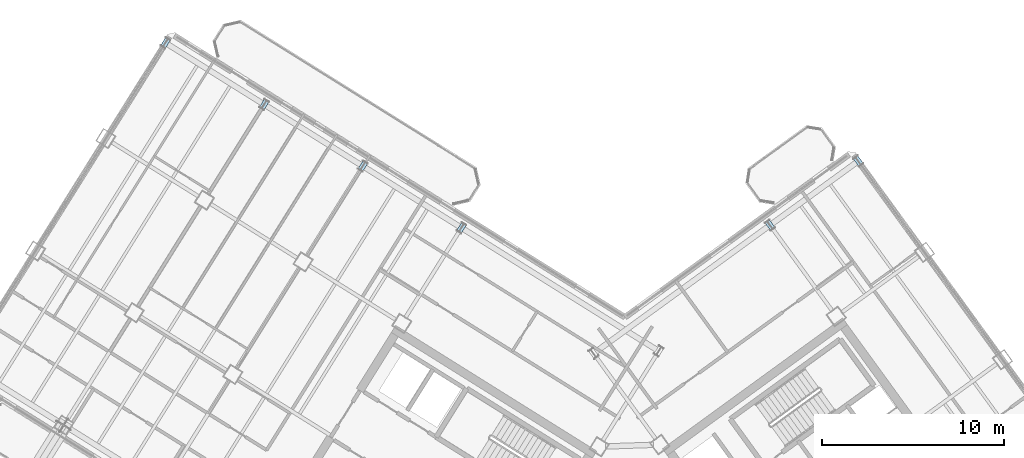
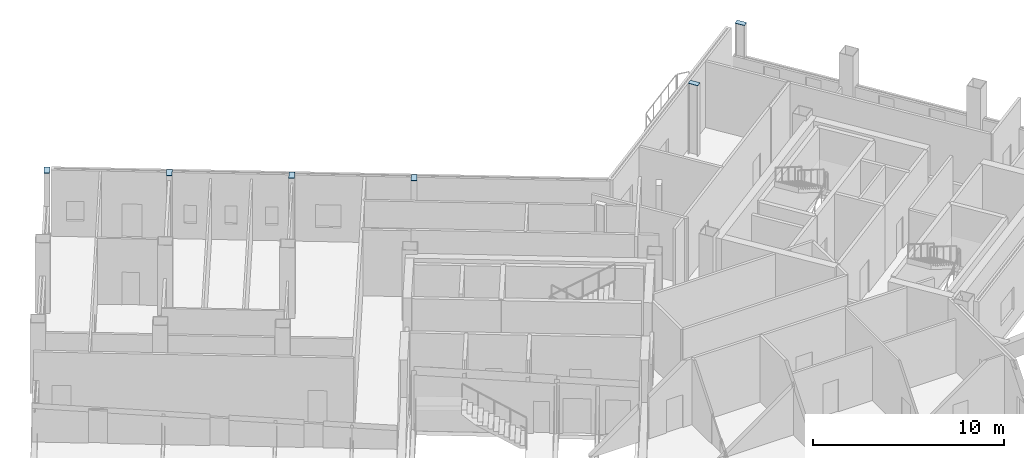
# One storey, part 20 of 34: 6 plates.
"""IFC4 building model written with IfcOpenShell, lengths in metres."""

import ifcopenshell
import ifcopenshell.guid

model = None  # the IFC model being written
_history = None  # IfcOwnerHistory: only IFC2X3 demands one
_inside = {}  # id of a spatial element -> (the spatial element, [elements in it])
_under = {}  # id of a project, library or spatial element -> (it, [spatial elements below it])
_declared = {}  # id of a project -> (the project, [libraries it declares])
_typed = {}  # id of a type object -> (the type object, [elements of that type])
_made_of = {}  # id of a material, layer set ... -> (it, [elements and type objects made of it])


def new_model(schema):
    """Start an empty IFC model of exactly this schema.

    Asked for "IFC4X3", IfcOpenShell would pick the latest addendum, in which some entities
    have other attributes; the version numbers below select the first issue.
    IFC2X3 requires an IfcOwnerHistory on every rooted entity: one is made here for all.
    """
    global model, _history
    if schema == "IFC4X3":
        model = ifcopenshell.file(schema_version=(4, 3, 0, 0))
    else:
        model = ifcopenshell.file(schema=schema)
    _inside.clear()
    _under.clear()
    _declared.clear()
    _typed.clear()
    _made_of.clear()
    _history = None
    if model.schema == "IFC2X3":
        org = make("IfcOrganization", Name="unknown")
        user = make(
            "IfcPersonAndOrganization",
            ThePerson=make("IfcPerson", FamilyName="unknown"),
            TheOrganization=org,
        )
        app = make(
            "IfcApplication",
            ApplicationDeveloper=org,
            Version="unknown",
            ApplicationFullName="unknown",
            ApplicationIdentifier="unknown",
        )
        _history = make(
            "IfcOwnerHistory",
            OwningUser=user,
            OwningApplication=app,
            ChangeAction="ADDED",
            CreationDate=0,
        )
    return model


def make(cls, **values):
    """One entity of the class cls with the attributes given. An attribute that is None is left unset."""
    return model.create_entity(
        cls, **{name: value for name, value in values.items() if value is not None}
    )


def rooted(cls, **values):
    """An entity with a GlobalId (a new one), such as an element, a storey or a relation."""
    return make(cls, GlobalId=ifcopenshell.guid.new(), OwnerHistory=_history, **values)


def si_unit(unit_type, name, prefix=None):
    """IfcSIUnit, for example si_unit("LENGTHUNIT", "METRE", prefix="MILLI")."""
    return make("IfcSIUnit", UnitType=unit_type, Prefix=prefix, Name=name)


def assignment(units):
    """IfcUnitAssignment: the units of a project."""
    return None if units is None else make("IfcUnitAssignment", Units=units)


def point(xyz):
    """IfcCartesianPoint."""
    return None if xyz is None else make("IfcCartesianPoint", Coordinates=xyz)


def direction(xyz):
    """IfcDirection."""
    return None if xyz is None else make("IfcDirection", DirectionRatios=xyz)


def frame(location, z_axis=None, x_axis=None):
    """IfcAxis2Placement3D, a coordinate frame: its origin and axes. An axis left out is left unset."""
    return make(
        "IfcAxis2Placement3D",
        Location=point(location),
        Axis=direction(z_axis),
        RefDirection=direction(x_axis),
    )


def frame_2d(location, x_axis=None):
    """IfcAxis2Placement2D, a coordinate frame in the plane: its origin and x axis."""
    return make(
        "IfcAxis2Placement2D", Location=point(location), RefDirection=direction(x_axis)
    )


def origin():
    """The frame at (0, 0, 0) with its axes left unset."""
    return frame((0.0, 0.0, 0.0))


def origin_2d():
    """The frame at (0, 0) in the plane with its x axis left unset."""
    return frame_2d((0.0, 0.0))


def place(relative_to, where):
    """IfcLocalPlacement: puts the frame where relative to a parent placement (None: the world)."""
    return make(
        "IfcLocalPlacement", PlacementRelTo=relative_to, RelativePlacement=where
    )


def context(
    kind, dimensions, precision=None, world=None, true_north=None, identifier=None
):
    """IfcGeometricRepresentationContext, for example the 3D "Model" context."""
    return make(
        "IfcGeometricRepresentationContext",
        ContextIdentifier=identifier,
        ContextType=kind,
        CoordinateSpaceDimension=dimensions,
        Precision=precision,
        WorldCoordinateSystem=world,
        TrueNorth=true_north,
    )


def subcontext(parent, identifier, kind, view, scale=None):
    """IfcGeometricRepresentationSubContext, for example "Body" below "Model"."""
    return make(
        "IfcGeometricRepresentationSubContext",
        ContextIdentifier=identifier,
        ContextType=kind,
        ParentContext=parent,
        TargetScale=scale,
        TargetView=view,
    )


def project(units=None, contexts=None):
    """IfcProject with its units and contexts."""
    return rooted(
        "IfcProject",
        Name="project",
        RepresentationContexts=contexts,
        UnitsInContext=assignment(units),
    )


def spatial(cls, under=None, at=None, **own):
    """A site, building, storey or space (cls), placed at a placement, below another one or the project."""
    s = rooted(cls, ObjectPlacement=at, **own)
    if under is not None:
        _under.setdefault(under.id(), (under, []))[1].append(s)
    return s


def profile(cls, at=None, kind="AREA", **sizes):
    """A parametric profile (cls). Its sizes go by their IFC names, for example OverallWidth=200.0."""
    return make(cls, ProfileType=kind, Position=at, **sizes)


def rectangle(**sizes):
    """IfcRectangleProfileDef."""
    return profile("IfcRectangleProfileDef", **sizes)


def extrude(swept, where, along, depth):
    """IfcExtrudedAreaSolid: the profile swept, set in the frame where, extruded along a direction by depth."""
    return make(
        "IfcExtrudedAreaSolid",
        SweptArea=swept,
        Position=where,
        ExtrudedDirection=direction(along),
        Depth=depth,
    )


def shape(context_of_items, identifier, shape_type, items):
    """IfcShapeRepresentation: the items that make up one representation, for example the "Body"."""
    return make(
        "IfcShapeRepresentation",
        ContextOfItems=context_of_items,
        RepresentationIdentifier=identifier,
        RepresentationType=shape_type,
        Items=items,
    )


def source(mapping_origin, context_of_items, identifier, shape_type, items):
    """IfcRepresentationMap: a shape defined once, which mapped items show again and again."""
    return make(
        "IfcRepresentationMap",
        MappingOrigin=mapping_origin,
        MappedRepresentation=shape(context_of_items, identifier, shape_type, items),
    )


def transform(
    local_origin,
    x_axis=None,
    y_axis=None,
    z_axis=None,
    scale=None,
    scale2=None,
    scale3=None,
    uniform=True,
):
    """IfcCartesianTransformationOperator3D, or its non-uniform kind. x_axis, y_axis, z_axis: its Axis1, 2, 3."""
    if uniform:
        return make(
            "IfcCartesianTransformationOperator3D",
            Axis1=direction(x_axis),
            Axis2=direction(y_axis),
            LocalOrigin=point(local_origin),
            Scale=scale,
            Axis3=direction(z_axis),
        )
    return make(
        "IfcCartesianTransformationOperator3DnonUniform",
        Axis1=direction(x_axis),
        Axis2=direction(y_axis),
        LocalOrigin=point(local_origin),
        Scale=scale,
        Axis3=direction(z_axis),
        Scale2=scale2,
        Scale3=scale3,
    )


def mapped(mapping_source, mapping_target):
    """IfcMappedItem: shows the shape of a source again, moved by a transform."""
    return make(
        "IfcMappedItem", MappingSource=mapping_source, MappingTarget=mapping_target
    )


def material(Name=None, Category=None):
    """IfcMaterial."""
    return make("IfcMaterial", Name=Name, Category=Category)


def layer(
    of_material, thickness, ventilated=None, Name=None, Category=None, Priority=None
):
    """IfcMaterialLayer: one layer of a wall or slab, of a material (None: an air gap)."""
    return make(
        "IfcMaterialLayer",
        Material=of_material,
        LayerThickness=thickness,
        IsVentilated=ventilated,
        Name=Name,
        Category=Category,
        Priority=Priority,
    )


def layer_set(layers, Name=None):
    """IfcMaterialLayerSet."""
    return make("IfcMaterialLayerSet", MaterialLayers=layers, LayerSetName=Name)


def made_of(thing, what):
    """Note that an element or type object is made of a material, layer set ...; save() writes the relation."""
    if what is not None:
        _made_of.setdefault(what.id(), (what, []))[1].append(thing)
    return thing


def type_object(cls, material=None, **own):
    """A type object (cls), such as IfcWallType, which elements share."""
    return made_of(rooted(cls, **own), material)


def element(
    cls,
    number,
    at=None,
    inside=None,
    cuts=None,
    type_object=None,
    material=None,
    context=None,
    identifier="Body",
    shape_type=None,
    held_by="IfcProductDefinitionShape",
    body=None,
    shapes=None,
    **own,
):
    """One element of the class cls, such as IfcWall. Its Tag is "e" and its number.

    at: its placement. inside: the storey or other place that contains it. cuts: it is an
    opening in that element (IfcRelVoidsElement). A single representation is given by context,
    identifier, shape_type and body (its items); several are given by shapes. held_by: the class
    of the entity that holds the representations. save() writes the other relations.
    """
    e = rooted(cls, Tag="e%d" % number, ObjectPlacement=at, **own)
    if body is not None:
        shapes = [shape(context, identifier, shape_type, body)]
    if shapes is not None:
        e.Representation = make(held_by, Representations=shapes)
    if inside is not None:
        _inside.setdefault(inside.id(), (inside, []))[1].append(e)
    if cuts is not None:
        rooted(
            "IfcRelVoidsElement", RelatingBuildingElement=cuts, RelatedOpeningElement=e
        )
    if type_object is not None:
        _typed.setdefault(type_object.id(), (type_object, []))[1].append(e)
    return made_of(e, material)


def aggregate(whole, parts):
    """IfcRelAggregates: a whole, such as a stair, and the parts it consists of."""
    return rooted("IfcRelAggregates", RelatingObject=whole, RelatedObjects=parts)


def save(model, path):
    """Write the relations noted so far, then the file.

    IfcRelAggregates (storeys below a building ...), IfcRelContainedInSpatialStructure (elements
    in a storey), IfcRelDefinesByType, IfcRelAssociatesMaterial and IfcRelDeclares: one each for
    every whole, place, type object, material and project.
    """
    for whole, parts in _under.values():
        aggregate(whole, parts)
    for where, things in _inside.values():
        rooted(
            "IfcRelContainedInSpatialStructure",
            RelatedElements=things,
            RelatingStructure=where,
        )
    for kind, things in _typed.values():
        rooted("IfcRelDefinesByType", RelatedObjects=things, RelatingType=kind)
    for what, things in _made_of.values():
        rooted("IfcRelAssociatesMaterial", RelatedObjects=things, RelatingMaterial=what)
    for by, libraries in _declared.values():
        rooted("IfcRelDeclares", RelatingContext=by, RelatedDefinitions=libraries)
    model.write(path)


model = new_model("IFC4")

# Units and contexts
model_context = context("Model", 3, precision=1e-05, world=origin(), true_north=direction((0.0, 1.0)))
body_context = subcontext(model_context, "Body", "Model", "MODEL_VIEW")
ifc_project = project(units=[si_unit("LENGTHUNIT", "METRE"), si_unit("AREAUNIT", "SQUARE_METRE"), si_unit("VOLUMEUNIT", "CUBIC_METRE"), si_unit("PLANEANGLEUNIT", "RADIAN"), si_unit("MASSUNIT", "GRAM", prefix="KILO")], contexts=[model_context])

# Site, building, storey
site_placement = place(None, origin())
site = spatial("IfcSite", under=ifc_project, at=site_placement, CompositionType="ELEMENT")
building_placement = place(site_placement, origin())
building = spatial("IfcBuilding", under=site, at=building_placement, Name="Tlacorven Tower", CompositionType="ELEMENT")
storey_placement = place(building_placement, frame((0.0, 0.0, 229.199951171875)))
storey = spatial("IfcBuildingStorey", under=building, at=storey_placement, Name="L58", CompositionType="ELEMENT", Elevation=229.199951171875)

# Plates
ifc_material = material(Name="Steel S460M", Category="steel")
ifc_layer = layer(ifc_material, 0.02392578125)
ifc_layer_set = layer_set([ifc_layer], Name="Steel S460M")
plate_type = type_object("IfcPlateType", Name="PL-CAP-END1", PredefinedType="USERDEFINED", material=ifc_layer_set)
shared_shape = source(origin(), body_context, "Body", "SweptSolid", [
    extrude(rectangle(XDim=0.300048828125, YDim=0.550048828125, at=origin_2d()), origin(), (0.0, 0.0, 1.0), 0.02392578125),
])
for number, where, z_axis, x_axis, name in (
    (1, (33.21337890625, 36.50927734375, 4.498046875), (0.0, 0.0, 1.0), (-0.848048096156, 0.529919264233, 0.0), "L58 Hollow Column Top Cap Plate COL-L58-W3-1"),
    (2, (27.785888671875, 39.900634765625, 4.498046875), (0.0, 0.0, 1.0), (-0.848048096156, 0.529919264233, 0.0), "L58 Hollow Column Top Cap Plate COL-L58-W4-1"),
    (3, (22.3583984375, 43.292236328125, 4.498046875), (0.0, 0.0, 1.0), (-0.848048096156, 0.529919264233, 0.0), "L58 Hollow Column Top Cap Plate COL-L58-W5-1"),
    (4, (16.930908203125, 46.68359375, 4.498046875), (0.0, 0.0, 1.0), (-0.848048096156, 0.529919264233, 0.0), "L58 Hollow Column Top Cap Plate COL-L58-W6-1"),
    (5, (50.187744140625, 36.654296875, 4.498046875), (0.0, 0.0, 1.0), (0.809016994375, 0.587785252292, 0.0), "L58 Hollow Column Top Cap Plate COL-L58-E3-4"),
    (6, (55.041748046875, 40.18115234375, 4.498046875), (0.0, 0.0, 1.0), (0.809016994375, 0.587785252292, 0.0), "L58 Hollow Column Top Cap Plate COL-L58-E4-4"),
):
    element("IfcPlate", number, at=place(storey_placement, frame(where, z_axis=z_axis, x_axis=x_axis)), inside=storey, type_object=plate_type, Name=name, ObjectType="END PLATE", PredefinedType="USERDEFINED", context=body_context, shape_type="MappedRepresentation", body=[
        mapped(shared_shape, transform((0.0, 0.0, 0.0), scale=1.0)),
    ])

save(model, "model.ifc")
